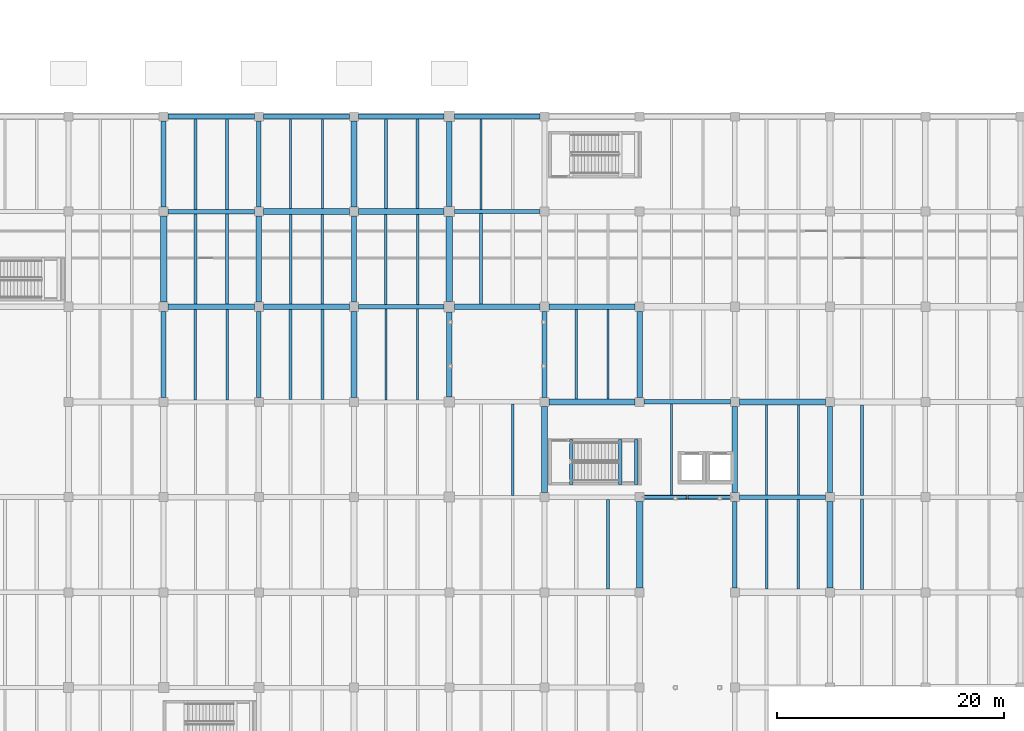
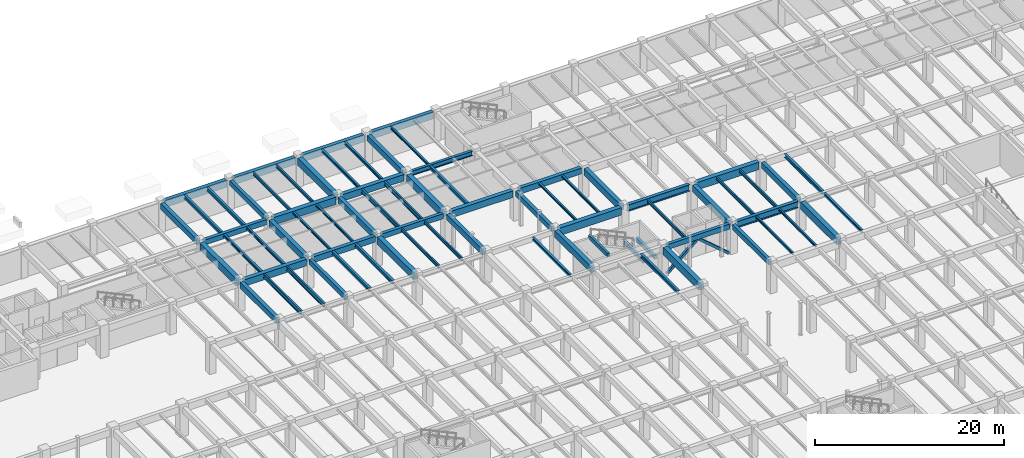
# One storey, part 21 of 63: 72 beams, 2 members.
"""IFC4 building model written with IfcOpenShell, lengths in metres."""

from ifc_helpers import new_model, si_unit, direction, frame, origin, origin_2d, place, context, subcontext, project, spatial, rectangle, hollow_rectangle, i_section, extrude, material, material_profile, profile_set, type_object, element, save


model = new_model("IFC4")

# Units and contexts
model_context = context("Model", 3, precision=1e-05, world=origin(), true_north=direction((0.0, 1.0)))
body_context = subcontext(model_context, "Body", "Model", "MODEL_VIEW")
ifc_project = project(units=[si_unit("LENGTHUNIT", "METRE"), si_unit("AREAUNIT", "SQUARE_METRE"), si_unit("VOLUMEUNIT", "CUBIC_METRE"), si_unit("PLANEANGLEUNIT", "RADIAN"), si_unit("MASSUNIT", "GRAM", prefix="KILO")], contexts=[model_context])

# Site, building, storey
site_placement = place(None, origin())
site = spatial("IfcSite", under=ifc_project, at=site_placement, CompositionType="ELEMENT")
building_placement = place(site_placement, origin())
building = spatial("IfcBuilding", under=site, at=building_placement, Name="Cumbredor Promenade Congress Hotel", CompositionType="ELEMENT")
storey_placement = place(building_placement, frame((0.0, 0.0, -4.199951171875)))
storey = spatial("IfcBuildingStorey", under=building, at=storey_placement, Name="B01", CompositionType="ELEMENT", Elevation=-4.199951171875)

# Beams
ifc_material_1 = material(Name="Concrete C40/50", Category="concrete")
ifc_material_profile_1 = material_profile(ifc_material_1, rectangle(XDim=0.39990234375, YDim=0.64990234375, at=origin_2d()), Name="RC BEAM 400x650")
ifc_profile_set_1 = profile_set([ifc_material_profile_1], Name="Concrete C40/50")
beam_type_1 = type_object("IfcBeamType", Name="BM-RC-400x650", PredefinedType="BEAM", material=ifc_profile_set_1)
beam_1_placement = place(storey_placement, frame((59.199951171875, 109.199951171875, 3.52490234375), z_axis=(1.0, 0.0, 0.0), x_axis=(0.0, 1.0, 0.0)))
element("IfcBeam", 1, at=beam_1_placement, inside=storey, type_object=beam_type_1, Name="L00 X-Grid Beam 171", PredefinedType="BEAM", context=body_context, shape_type="SweptSolid", body=[
    extrude(rectangle(XDim=0.39990234375, YDim=0.64990234375, at=origin_2d()), origin(), (0.0, 0.0, 1.0), 7.60009765625),
])
for number, where, z_axis, x_axis, name in (
    (2, (67.199951171875, 92.800048828125, 3.52490234375), (0.0, 1.0, 0.0), (-1.0, 0.0, 0.0), "L00 Y-Grid Beam 195"),
    (3, (67.199951171875, 109.60009765625, 3.52490234375), (0.0, 1.0, 0.0), (-1.0, 0.0, 0.0), "L00 Y-Grid Beam 199"),
):
    element("IfcBeam", number, at=place(storey_placement, frame(where, z_axis=z_axis, x_axis=x_axis)), inside=storey, type_object=beam_type_1, Name=name, PredefinedType="BEAM", context=body_context, shape_type="SweptSolid", body=[
        extrude(rectangle(XDim=0.39990234375, YDim=0.64990234375, at=origin_2d()), origin(), (0.0, 0.0, 1.0), 7.599853515625),
    ])
beam_2_placement = place(storey_placement, frame((76.0, 100.800048828125, 3.52490234375), z_axis=(1.0, 0.0, 0.0), x_axis=(0.0, 1.0, 0.0)))
element("IfcBeam", 4, at=beam_2_placement, inside=storey, type_object=beam_type_1, Name="L00 X-Grid Beam 223", PredefinedType="BEAM", context=body_context, shape_type="SweptSolid", body=[
    extrude(rectangle(XDim=0.39990234375, YDim=0.64990234375, at=origin_2d()), origin(), (0.0, 0.0, 1.0), 7.550048828125),
])
beam_3_placement = place(storey_placement, frame((92.39990234375, 92.800048828125, 3.52490234375), z_axis=(0.0, 1.0, 0.0), x_axis=(-1.0, 0.0, 0.0)))
element("IfcBeam", 5, at=beam_3_placement, inside=storey, type_object=beam_type_1, Name="L00 Y-Grid Beam 275", PredefinedType="BEAM", context=body_context, shape_type="SweptSolid", body=[
    extrude(rectangle(XDim=0.39990234375, YDim=0.64990234375, at=origin_2d()), origin(), (0.0, 0.0, 1.0), 7.599853515625),
])
for number, where, z_axis, x_axis, name in (
    (6, (101.199951171875, 84.0, 3.52490234375), (1.0, 0.0, 0.0), (0.0, 1.0, 0.0), "L00 X-Grid Beam 295"),
    (7, (109.199951171875, 76.0, 3.52490234375), (0.0, 1.0, 0.0), (-1.0, 0.0, 0.0), "L00 Y-Grid Beam 319"),
):
    element("IfcBeam", number, at=place(storey_placement, frame(where, z_axis=z_axis, x_axis=x_axis)), inside=storey, type_object=beam_type_1, Name=name, PredefinedType="BEAM", context=body_context, shape_type="SweptSolid", body=[
        extrude(rectangle(XDim=0.39990234375, YDim=0.64990234375, at=origin_2d()), origin(), (0.0, 0.0, 1.0), 7.60009765625),
    ])
ifc_material_profile_2 = material_profile(ifc_material_1, rectangle(XDim=0.449951171875, YDim=0.75, at=origin_2d()), Name="RC BEAM 450x750")
ifc_profile_set_2 = profile_set([ifc_material_profile_2], Name="Concrete C40/50")
beam_type_2 = type_object("IfcBeamType", Name="BM-RC-450x750", PredefinedType="BEAM", material=ifc_profile_set_2)
for number, where, z_axis, x_axis, name in (
    (8, (58.800048828125, 92.800048828125, 3.474853515625), (0.0, 1.0, 0.0), (-1.0, 0.0, 0.0), "L00 Y-Grid Beam 168"),
    (9, (58.800048828125, 109.60009765625, 3.474853515625), (0.0, 1.0, 0.0), (-1.0, 0.0, 0.0), "L00 Y-Grid Beam 172"),
    (10, (67.60009765625, 100.800048828125, 3.474853515625), (1.0, 0.0, 0.0), (0.0, 1.0, 0.0), "L00 X-Grid Beam 196"),
):
    element("IfcBeam", number, at=place(storey_placement, frame(where, z_axis=z_axis, x_axis=x_axis)), inside=storey, type_object=beam_type_2, Name=name, PredefinedType="BEAM", context=body_context, shape_type="SweptSolid", body=[
        extrude(rectangle(XDim=0.449951171875, YDim=0.75, at=origin_2d()), origin(), (0.0, 0.0, 1.0), 7.599853515625),
    ])
beam_4_placement = place(storey_placement, frame((75.60009765625, 101.199951171875, 3.474853515625), z_axis=(0.0, 1.0, 0.0), x_axis=(-1.0, 0.0, 0.0)))
element("IfcBeam", 11, at=beam_4_placement, inside=storey, type_object=beam_type_2, Name="L00 Y-Grid Beam 224", PredefinedType="BEAM", context=body_context, shape_type="SweptSolid", body=[
    extrude(rectangle(XDim=0.449951171875, YDim=0.75, at=origin_2d()), origin(), (0.0, 0.0, 1.0), 7.60009765625),
])
for number, where, z_axis, x_axis, name in (
    (12, (84.0, 92.85009765625, 3.474853515625), (0.0, 1.0, 0.0), (-1.0, 0.0, 0.0), "L00 Y-Grid Beam 248"),
    (13, (84.0, 109.64990234375, 3.474853515625), (0.0, 1.0, 0.0), (-1.0, 0.0, 0.0), "L00 Y-Grid Beam 252"),
):
    element("IfcBeam", number, at=place(storey_placement, frame(where, z_axis=z_axis, x_axis=x_axis)), inside=storey, type_object=beam_type_2, Name=name, PredefinedType="BEAM", context=body_context, shape_type="SweptSolid", body=[
        extrude(rectangle(XDim=0.449951171875, YDim=0.75, at=origin_2d()), origin(), (0.0, 0.0, 1.0), 7.5),
    ])
beam_5_placement = place(storey_placement, frame((92.800048828125, 100.800048828125, 3.474853515625), z_axis=(1.0, 0.0, 0.0), x_axis=(0.0, 1.0, 0.0)))
element("IfcBeam", 14, at=beam_5_placement, inside=storey, type_object=beam_type_2, Name="L00 X-Grid Beam 276", PredefinedType="BEAM", context=body_context, shape_type="SweptSolid", body=[
    extrude(rectangle(XDim=0.449951171875, YDim=0.75, at=origin_2d()), origin(), (0.0, 0.0, 1.0), 7.599853515625),
])
beam_6_placement = place(storey_placement, frame((117.60009765625, 84.39990234375, 3.474853515625), z_axis=(0.0, 1.0, 0.0), x_axis=(-1.0, 0.0, 0.0)))
element("IfcBeam", 15, at=beam_6_placement, inside=storey, type_object=beam_type_2, Name="L00 Y-Grid Beam 348", PredefinedType="BEAM", context=body_context, shape_type="SweptSolid", body=[
    extrude(rectangle(XDim=0.449951171875, YDim=0.75, at=origin_2d()), origin(), (0.0, 0.0, 1.0), 7.60009765625),
])
ifc_material_profile_3 = material_profile(ifc_material_1, rectangle(XDim=0.5, YDim=0.85009765625, at=origin_2d()), Name="RC BEAM 500x850")
ifc_profile_set_3 = profile_set([ifc_material_profile_3], Name="Concrete C40/50")
beam_type_3 = type_object("IfcBeamType", Name="BM-RC-500x850", PredefinedType="BEAM", material=ifc_profile_set_3)
for number, where, z_axis, x_axis, name in (
    (16, (59.199951171875, 100.800048828125, 3.425048828125), (1.0, 0.0, 0.0), (0.0, 1.0, 0.0), "L00 X-Grid Beam 169"),
    (17, (67.199951171875, 101.199951171875, 3.425048828125), (0.0, 1.0, 0.0), (-1.0, 0.0, 0.0), "L00 Y-Grid Beam 197"),
):
    element("IfcBeam", number, at=place(storey_placement, frame(where, z_axis=z_axis, x_axis=x_axis)), inside=storey, type_object=beam_type_3, Name=name, PredefinedType="BEAM", context=body_context, shape_type="SweptSolid", body=[
        extrude(rectangle(XDim=0.5, YDim=0.85009765625, at=origin_2d()), origin(), (0.0, 0.0, 1.0), 7.60009765625),
    ])
for number, where, z_axis, x_axis, name in (
    (18, (76.0, 109.199951171875, 3.425048828125), (1.0, 0.0, 0.0), (0.0, 1.0, 0.0), "L00 X-Grid Beam 225"),
    (19, (84.449951171875, 100.800048828125, 3.425048828125), (1.0, 0.0, 0.0), (0.0, 1.0, 0.0), "L00 X-Grid Beam 249"),
):
    element("IfcBeam", number, at=place(storey_placement, frame(where, z_axis=z_axis, x_axis=x_axis)), inside=storey, type_object=beam_type_3, Name=name, PredefinedType="BEAM", context=body_context, shape_type="SweptSolid", body=[
        extrude(rectangle(XDim=0.5, YDim=0.85009765625, at=origin_2d()), origin(), (0.0, 0.0, 1.0), 7.550048828125),
    ])
beam_7_placement = place(storey_placement, frame((92.39990234375, 84.39990234375, 3.425048828125), z_axis=(0.0, 1.0, 0.0), x_axis=(-1.0, 0.0, 0.0)))
element("IfcBeam", 20, at=beam_7_placement, inside=storey, type_object=beam_type_3, Name="L00 Y-Grid Beam 273", PredefinedType="BEAM", context=body_context, shape_type="SweptSolid", body=[
    extrude(rectangle(XDim=0.5, YDim=0.85009765625, at=origin_2d()), origin(), (0.0, 0.0, 1.0), 7.60009765625),
])
beam_8_placement = place(storey_placement, frame((100.800048828125, 92.800048828125, 3.425048828125), z_axis=(0.0, 1.0, 0.0), x_axis=(-1.0, 0.0, 0.0)))
element("IfcBeam", 21, at=beam_8_placement, inside=storey, type_object=beam_type_3, Name="L00 Y-Grid Beam 297", PredefinedType="BEAM", context=body_context, shape_type="SweptSolid", body=[
    extrude(rectangle(XDim=0.5, YDim=0.85009765625, at=origin_2d()), origin(), (0.0, 0.0, 1.0), 7.599853515625),
])
beam_9_placement = place(storey_placement, frame((109.199951171875, 84.39990234375, 3.425048828125), z_axis=(0.0, 1.0, 0.0), x_axis=(-1.0, 0.0, 0.0)))
element("IfcBeam", 22, at=beam_9_placement, inside=storey, type_object=beam_type_3, Name="L00 Y-Grid Beam 321", PredefinedType="BEAM", context=body_context, shape_type="SweptSolid", body=[
    extrude(rectangle(XDim=0.5, YDim=0.85009765625, at=origin_2d()), origin(), (0.0, 0.0, 1.0), 7.60009765625),
])
ifc_material_profile_4 = material_profile(ifc_material_1, rectangle(XDim=0.550048828125, YDim=0.949951171875, at=origin_2d()), Name="RC BEAM 550x950")
ifc_profile_set_4 = profile_set([ifc_material_profile_4], Name="Concrete C40/50")
beam_type_4 = type_object("IfcBeamType", Name="BM-RC-550x950", PredefinedType="BEAM", material=ifc_profile_set_4)
beam_10_placement = place(storey_placement, frame((58.800048828125, 101.199951171875, 3.375), z_axis=(0.0, 1.0, 0.0), x_axis=(-1.0, 0.0, 0.0)))
element("IfcBeam", 23, at=beam_10_placement, inside=storey, type_object=beam_type_4, Name="L00 Y-Grid Beam 170", PredefinedType="BEAM", context=body_context, shape_type="SweptSolid", body=[
    extrude(rectangle(XDim=0.550048828125, YDim=0.949951171875, at=origin_2d()), origin(), (0.0, 0.0, 1.0), 7.60009765625),
])
for number, where, z_axis, x_axis, name in (
    (24, (67.60009765625, 109.199951171875, 3.375), (1.0, 0.0, 0.0), (0.0, 1.0, 0.0), "L00 X-Grid Beam 198"),
    (25, (75.60009765625, 92.800048828125, 3.375), (0.0, 1.0, 0.0), (-1.0, 0.0, 0.0), "L00 Y-Grid Beam 222"),
    (26, (75.60009765625, 109.60009765625, 3.375), (0.0, 1.0, 0.0), (-1.0, 0.0, 0.0), "L00 Y-Grid Beam 226"),
):
    element("IfcBeam", number, at=place(storey_placement, frame(where, z_axis=z_axis, x_axis=x_axis)), inside=storey, type_object=beam_type_4, Name=name, PredefinedType="BEAM", context=body_context, shape_type="SweptSolid", body=[
        extrude(rectangle(XDim=0.550048828125, YDim=0.949951171875, at=origin_2d()), origin(), (0.0, 0.0, 1.0), 7.599853515625),
    ])
beam_11_placement = place(storey_placement, frame((84.0, 101.25, 3.375), z_axis=(0.0, 1.0, 0.0), x_axis=(-1.0, 0.0, 0.0)))
element("IfcBeam", 27, at=beam_11_placement, inside=storey, type_object=beam_type_4, Name="L00 Y-Grid Beam 250", PredefinedType="BEAM", context=body_context, shape_type="SweptSolid", body=[
    extrude(rectangle(XDim=0.550048828125, YDim=0.949951171875, at=origin_2d()), origin(), (0.0, 0.0, 1.0), 7.5),
])
beam_12_placement = place(storey_placement, frame((92.800048828125, 92.39990234375, 3.375), z_axis=(1.0, 0.0, 0.0), x_axis=(0.0, 1.0, 0.0)))
element("IfcBeam", 28, at=beam_12_placement, inside=storey, type_object=beam_type_4, Name="L00 X-Grid Beam 274", PredefinedType="BEAM", context=body_context, shape_type="SweptSolid", body=[
    extrude(rectangle(XDim=0.550048828125, YDim=0.949951171875, at=origin_2d()), origin(), (0.0, 0.0, 1.0), 7.599853515625),
])
beam_13_placement = place(storey_placement, frame((100.800048828125, 76.0, 3.375), z_axis=(0.0, 1.0, 0.0), x_axis=(-1.0, 0.0, 0.0)))
element("IfcBeam", 29, at=beam_13_placement, inside=storey, type_object=beam_type_4, Name="L00 Y-Grid Beam 294", PredefinedType="BEAM", context=body_context, shape_type="SweptSolid", body=[
    extrude(rectangle(XDim=0.550048828125, YDim=0.949951171875, at=origin_2d()), origin(), (0.0, 0.0, 1.0), 7.60009765625),
])
beam_14_placement = place(storey_placement, frame((109.60009765625, 92.39990234375, 3.375), z_axis=(1.0, 0.0, 0.0), x_axis=(0.0, 1.0, 0.0)))
element("IfcBeam", 30, at=beam_14_placement, inside=storey, type_object=beam_type_4, Name="L00 X-Grid Beam 322", PredefinedType="BEAM", context=body_context, shape_type="SweptSolid", body=[
    extrude(rectangle(XDim=0.550048828125, YDim=0.949951171875, at=origin_2d()), origin(), (0.0, 0.0, 1.0), 7.599853515625),
])
beam_15_placement = place(storey_placement, frame((117.60009765625, 76.0, 3.375), z_axis=(0.0, 1.0, 0.0), x_axis=(-1.0, 0.0, 0.0)))
element("IfcBeam", 31, at=beam_15_placement, inside=storey, type_object=beam_type_4, Name="L00 Y-Grid Beam 346", PredefinedType="BEAM", context=body_context, shape_type="SweptSolid", body=[
    extrude(rectangle(XDim=0.550048828125, YDim=0.949951171875, at=origin_2d()), origin(), (0.0, 0.0, 1.0), 7.60009765625),
])
ifc_material_2 = material(Name="Steel ASTM A992 Grade 50", Category="steel")
ifc_material_profile_5 = material_profile(ifc_material_2, i_section(OverallWidth=0.323974609375, OverallDepth=0.611083984375, WebThickness=0.0126953125, FlangeThickness=0.01904296875, at=origin_2d()), Name="W24X104")
ifc_profile_set_5 = profile_set([ifc_material_profile_5], Name="Steel ASTM A992 Grade 50")
beam_type_5 = type_object("IfcBeamType", Name="BM-W24X104", PredefinedType="BEAM", material=ifc_profile_set_5)
beam_16_placement = place(storey_placement, frame((84.449951171875, 109.199951171875, 3.54443359375), z_axis=(1.0, 0.0, 0.0), x_axis=(0.0, 1.0, 0.0)))
element("IfcBeam", 32, at=beam_16_placement, inside=storey, type_object=beam_type_5, Name="L00 X-Grid Beam 251", PredefinedType="BEAM", context=body_context, shape_type="SweptSolid", body=[
    extrude(i_section(OverallWidth=0.323974609375, OverallDepth=0.611083984375, WebThickness=0.0126953125, FlangeThickness=0.01904296875, at=origin_2d()), origin(), (0.0, 0.0, 1.0), 7.550048828125),
])
ifc_material_profile_6 = material_profile(ifc_material_2, i_section(OverallWidth=0.39990234375, OverallDepth=0.85498046875, WebThickness=0.018310546875, FlangeThickness=0.029296875, at=origin_2d()), Name="W33X201")
ifc_profile_set_6 = profile_set([ifc_material_profile_6], Name="Steel ASTM A992 Grade 50")
beam_type_6 = type_object("IfcBeamType", Name="BM-W33X201", PredefinedType="BEAM", material=ifc_profile_set_6)
beam_17_placement = place(storey_placement, frame((101.199951171875, 92.39990234375, 3.42236328125), z_axis=(1.0, 0.0, 0.0), x_axis=(0.0, 1.0, 0.0)))
element("IfcBeam", 33, at=beam_17_placement, inside=storey, type_object=beam_type_6, Name="L00 X-Grid Beam 296", PredefinedType="BEAM", context=body_context, shape_type="SweptSolid", body=[
    extrude(i_section(OverallWidth=0.39990234375, OverallDepth=0.85498046875, WebThickness=0.018310546875, FlangeThickness=0.029296875, at=origin_2d()), origin(), (0.0, 0.0, 1.0), 7.60009765625),
])
beam_18_placement = place(storey_placement, frame((109.60009765625, 84.0, 3.42236328125), z_axis=(1.0, 0.0, 0.0), x_axis=(0.0, 1.0, 0.0)))
element("IfcBeam", 34, at=beam_18_placement, inside=storey, type_object=beam_type_6, Name="L00 X-Grid Beam 320", PredefinedType="BEAM", context=body_context, shape_type="SweptSolid", body=[
    extrude(i_section(OverallWidth=0.39990234375, OverallDepth=0.85498046875, WebThickness=0.018310546875, FlangeThickness=0.029296875, at=origin_2d()), origin(), (0.0, 0.0, 1.0), 7.599853515625),
])
ifc_material_profile_7 = material_profile(ifc_material_2, i_section(OverallWidth=0.202880859375, OverallDepth=0.302978515625, WebThickness=0.007568359375, FlangeThickness=0.01318359375, at=origin_2d()), Name="W12X40")
ifc_profile_set_7 = profile_set([ifc_material_profile_7], Name="Steel ASTM A992 Grade 50")
beam_type_7 = type_object("IfcBeamType", Name="JST-W12X40", PredefinedType="JOIST", material=ifc_profile_set_7)
for number, where, z_axis, x_axis, name in (
    (35, (70.0, 101.02490234375, 3.698486328125), (0.0, 1.0, 0.0), (-1.0, 0.0, 0.0), "L00 Secondary Floor Joist 0164"),
    (36, (72.800048828125, 101.02490234375, 3.698486328125), (0.0, 1.0, 0.0), (-1.0, 0.0, 0.0), "L00 Secondary Floor Joist 0165"),
):
    element("IfcBeam", number, at=place(storey_placement, frame(where, z_axis=z_axis, x_axis=x_axis)), inside=storey, type_object=beam_type_7, Name=name, PredefinedType="JOIST", context=body_context, shape_type="SweptSolid", body=[
        extrude(i_section(OverallWidth=0.202880859375, OverallDepth=0.302978515625, WebThickness=0.007568359375, FlangeThickness=0.01318359375, at=origin_2d()), origin(), (0.0, 0.0, 1.0), 7.900146484375),
    ])
beam_19_placement = place(storey_placement, frame((86.800048828125, 109.362060546875, 3.698486328125), z_axis=(0.0, 1.0, 0.0), x_axis=(-1.0, 0.0, 0.0)))
element("IfcBeam", 37, at=beam_19_placement, inside=storey, type_object=beam_type_7, Name="L00 Secondary Floor Joist 0214", PredefinedType="JOIST", context=body_context, shape_type="SweptSolid", body=[
    extrude(i_section(OverallWidth=0.202880859375, OverallDepth=0.302978515625, WebThickness=0.007568359375, FlangeThickness=0.01318359375, at=origin_2d()), origin(), (0.0, 0.0, 1.0), 8.012939453125),
])
for number, where, z_axis, x_axis, name in (
    (38, (95.199951171875, 92.675048828125, 3.698486328125), (0.0, 1.0, 0.0), (-1.0, 0.0, 0.0), "L00 Secondary Floor Joist 0234"),
    (39, (98.0, 92.675048828125, 3.698486328125), (0.0, 1.0, 0.0), (-1.0, 0.0, 0.0), "L00 Secondary Floor Joist 0235"),
):
    element("IfcBeam", number, at=place(storey_placement, frame(where, z_axis=z_axis, x_axis=x_axis)), inside=storey, type_object=beam_type_7, Name=name, PredefinedType="JOIST", context=body_context, shape_type="SweptSolid", body=[
        extrude(i_section(OverallWidth=0.202880859375, OverallDepth=0.302978515625, WebThickness=0.007568359375, FlangeThickness=0.01318359375, at=origin_2d()), origin(), (0.0, 0.0, 1.0), 7.89990234375),
    ])
for number, where, z_axis, x_axis, name in (
    (40, (112.0, 75.875, 3.698486328125), (0.0, 1.0, 0.0), (-1.0, 0.0, 0.0), "L00 Secondary Floor Joist 0269"),
    (41, (114.800048828125, 75.875, 3.698486328125), (0.0, 1.0, 0.0), (-1.0, 0.0, 0.0), "L00 Secondary Floor Joist 0270"),
):
    element("IfcBeam", number, at=place(storey_placement, frame(where, z_axis=z_axis, x_axis=x_axis)), inside=storey, type_object=beam_type_7, Name=name, PredefinedType="JOIST", context=body_context, shape_type="SweptSolid", body=[
        extrude(i_section(OverallWidth=0.202880859375, OverallDepth=0.302978515625, WebThickness=0.007568359375, FlangeThickness=0.01318359375, at=origin_2d()), origin(), (0.0, 0.0, 1.0), 7.925048828125),
    ])
ifc_material_profile_8 = material_profile(ifc_material_2, i_section(OverallWidth=0.2548828125, OverallDepth=0.35693359375, WebThickness=0.010498046875, FlangeThickness=0.018310546875, at=origin_2d()), Name="W14X68")
ifc_profile_set_8 = profile_set([ifc_material_profile_8], Name="Steel ASTM A992 Grade 50")
beam_type_8 = type_object("IfcBeamType", Name="JST-W14X68", PredefinedType="JOIST", material=ifc_profile_set_8)
for number, where, z_axis, x_axis, name in (
    (42, (61.60009765625, 101.050048828125, 3.67138671875), (0.0, 1.0, 0.0), (-1.0, 0.0, 0.0), "L00 Secondary Floor Joist 0140"),
    (43, (64.39990234375, 101.050048828125, 3.67138671875), (0.0, 1.0, 0.0), (-1.0, 0.0, 0.0), "L00 Secondary Floor Joist 0141"),
):
    element("IfcBeam", number, at=place(storey_placement, frame(where, z_axis=z_axis, x_axis=x_axis)), inside=storey, type_object=beam_type_8, Name=name, PredefinedType="JOIST", context=body_context, shape_type="SweptSolid", body=[
        extrude(i_section(OverallWidth=0.2548828125, OverallDepth=0.35693359375, WebThickness=0.010498046875, FlangeThickness=0.018310546875, at=origin_2d()), origin(), (0.0, 0.0, 1.0), 7.949951171875),
    ])
for number, where, z_axis, x_axis, name in (
    (44, (78.39990234375, 109.449951171875, 3.67138671875), (0.0, 1.0, 0.0), (-1.0, 0.0, 0.0), "L00 Secondary Floor Joist 0190"),
    (45, (81.199951171875, 109.449951171875, 3.67138671875), (0.0, 1.0, 0.0), (-1.0, 0.0, 0.0), "L00 Secondary Floor Joist 0191"),
):
    element("IfcBeam", number, at=place(storey_placement, frame(where, z_axis=z_axis, x_axis=x_axis)), inside=storey, type_object=beam_type_8, Name=name, PredefinedType="JOIST", context=body_context, shape_type="SweptSolid", body=[
        extrude(i_section(OverallWidth=0.2548828125, OverallDepth=0.35693359375, WebThickness=0.010498046875, FlangeThickness=0.018310546875, at=origin_2d()), origin(), (0.0, 0.0, 1.0), 7.925048828125),
    ])
beam_20_placement = place(storey_placement, frame((89.60009765625, 84.162109375, 3.67138671875), z_axis=(0.0, 1.0, 0.0), x_axis=(-1.0, 0.0, 0.0)))
element("IfcBeam", 46, at=beam_20_placement, inside=storey, type_object=beam_type_8, Name="L00 Secondary Floor Joist 0211", PredefinedType="JOIST", context=body_context, shape_type="SweptSolid", body=[
    extrude(i_section(OverallWidth=0.2548828125, OverallDepth=0.35693359375, WebThickness=0.010498046875, FlangeThickness=0.018310546875, at=origin_2d()), origin(), (0.0, 0.0, 1.0), 8.037841796875),
])
beam_21_placement = place(storey_placement, frame((120.39990234375, 75.85009765625, 3.67138671875), z_axis=(0.0, 1.0, 0.0), x_axis=(-1.0, 0.0, 0.0)))
element("IfcBeam", 47, at=beam_21_placement, inside=storey, type_object=beam_type_8, Name="L00 Secondary Floor Joist 0295", PredefinedType="JOIST", context=body_context, shape_type="SweptSolid", body=[
    extrude(i_section(OverallWidth=0.2548828125, OverallDepth=0.35693359375, WebThickness=0.010498046875, FlangeThickness=0.018310546875, at=origin_2d()), origin(), (0.0, 0.0, 1.0), 7.98779296875),
])
ifc_material_profile_9 = material_profile(ifc_material_2, i_section(OverallWidth=0.180908203125, OverallDepth=0.4169921875, WebThickness=0.010986328125, FlangeThickness=0.018310546875, at=origin_2d()), Name="W16X57")
ifc_profile_set_9 = profile_set([ifc_material_profile_9], Name="Steel ASTM A992 Grade 50")
beam_type_9 = type_object("IfcBeamType", Name="JST-W16X57", PredefinedType="JOIST", material=ifc_profile_set_9)
for number, where, z_axis, x_axis, name in (
    (48, (70.0, 109.47509765625, 3.641357421875), (0.0, 1.0, 0.0), (-1.0, 0.0, 0.0), "L00 Secondary Floor Joist 0166"),
    (49, (72.800048828125, 109.47509765625, 3.641357421875), (0.0, 1.0, 0.0), (-1.0, 0.0, 0.0), "L00 Secondary Floor Joist 0167"),
):
    element("IfcBeam", number, at=place(storey_placement, frame(where, z_axis=z_axis, x_axis=x_axis)), inside=storey, type_object=beam_type_9, Name=name, PredefinedType="JOIST", context=body_context, shape_type="SweptSolid", body=[
        extrude(i_section(OverallWidth=0.180908203125, OverallDepth=0.4169921875, WebThickness=0.010986328125, FlangeThickness=0.018310546875, at=origin_2d()), origin(), (0.0, 0.0, 1.0), 7.89990234375),
    ])
for number, where, z_axis, x_axis, name in (
    (50, (78.39990234375, 92.56201171875, 3.641357421875), (0.0, 1.0, 0.0), (-1.0, 0.0, 0.0), "L00 Secondary Floor Joist 0186"),
    (51, (81.199951171875, 92.56201171875, 3.641357421875), (0.0, 1.0, 0.0), (-1.0, 0.0, 0.0), "L00 Secondary Floor Joist 0187"),
):
    element("IfcBeam", number, at=place(storey_placement, frame(where, z_axis=z_axis, x_axis=x_axis)), inside=storey, type_object=beam_type_9, Name=name, PredefinedType="JOIST", context=body_context, shape_type="SweptSolid", body=[
        extrude(i_section(OverallWidth=0.180908203125, OverallDepth=0.4169921875, WebThickness=0.010986328125, FlangeThickness=0.018310546875, at=origin_2d()), origin(), (0.0, 0.0, 1.0), 8.0380859375),
    ])
beam_22_placement = place(storey_placement, frame((103.60009765625, 84.199951171875, 3.641357421875), z_axis=(0.0, 1.0, 0.0), x_axis=(-1.0, 0.0, 0.0)))
element("IfcBeam", 52, at=beam_22_placement, inside=storey, type_object=beam_type_9, Name="L00 Secondary Floor Joist 0246", PredefinedType="JOIST", context=body_context, shape_type="SweptSolid", body=[
    extrude(i_section(OverallWidth=0.180908203125, OverallDepth=0.4169921875, WebThickness=0.010986328125, FlangeThickness=0.018310546875, at=origin_2d()), origin(), (0.0, 0.0, 1.0), 8.0),
])
for number, where, z_axis, x_axis, name in (
    (53, (112.0, 84.199951171875, 3.641357421875), (0.0, 1.0, 0.0), (-1.0, 0.0, 0.0), "L00 Secondary Floor Joist 0271"),
    (54, (114.800048828125, 84.199951171875, 3.641357421875), (0.0, 1.0, 0.0), (-1.0, 0.0, 0.0), "L00 Secondary Floor Joist 0272"),
):
    element("IfcBeam", number, at=place(storey_placement, frame(where, z_axis=z_axis, x_axis=x_axis)), inside=storey, type_object=beam_type_9, Name=name, PredefinedType="JOIST", context=body_context, shape_type="SweptSolid", body=[
        extrude(i_section(OverallWidth=0.180908203125, OverallDepth=0.4169921875, WebThickness=0.010986328125, FlangeThickness=0.018310546875, at=origin_2d()), origin(), (0.0, 0.0, 1.0), 7.925048828125),
    ])
ifc_material_profile_10 = material_profile(ifc_material_2, i_section(OverallWidth=0.280029296875, OverallDepth=0.462890625, WebThickness=0.0107421875, FlangeThickness=0.017333984375, at=origin_2d()), Name="W18X76")
ifc_profile_set_10 = profile_set([ifc_material_profile_10], Name="Steel ASTM A992 Grade 50")
beam_type_10 = type_object("IfcBeamType", Name="JST-W18X76", PredefinedType="JOIST", material=ifc_profile_set_10)
for number, where, z_axis, x_axis, name in (
    (55, (61.60009765625, 109.39990234375, 3.618408203125), (0.0, 1.0, 0.0), (-1.0, 0.0, 0.0), "L00 Secondary Floor Joist 0142"),
    (56, (64.39990234375, 109.39990234375, 3.618408203125), (0.0, 1.0, 0.0), (-1.0, 0.0, 0.0), "L00 Secondary Floor Joist 0143"),
):
    element("IfcBeam", number, at=place(storey_placement, frame(where, z_axis=z_axis, x_axis=x_axis)), inside=storey, type_object=beam_type_10, Name=name, PredefinedType="JOIST", context=body_context, shape_type="SweptSolid", body=[
        extrude(i_section(OverallWidth=0.280029296875, OverallDepth=0.462890625, WebThickness=0.0107421875, FlangeThickness=0.017333984375, at=origin_2d()), origin(), (0.0, 0.0, 1.0), 7.97509765625),
    ])
for number, where, z_axis, x_axis, name in (
    (57, (70.0, 92.60009765625, 3.618408203125), (0.0, 1.0, 0.0), (-1.0, 0.0, 0.0), "L00 Secondary Floor Joist 0162"),
    (58, (72.800048828125, 92.60009765625, 3.618408203125), (0.0, 1.0, 0.0), (-1.0, 0.0, 0.0), "L00 Secondary Floor Joist 0163"),
):
    element("IfcBeam", number, at=place(storey_placement, frame(where, z_axis=z_axis, x_axis=x_axis)), inside=storey, type_object=beam_type_10, Name=name, PredefinedType="JOIST", context=body_context, shape_type="SweptSolid", body=[
        extrude(i_section(OverallWidth=0.280029296875, OverallDepth=0.462890625, WebThickness=0.0107421875, FlangeThickness=0.017333984375, at=origin_2d()), origin(), (0.0, 0.0, 1.0), 7.974853515625),
    ])
beam_23_placement = place(storey_placement, frame((86.800048828125, 101.050048828125, 3.618408203125), z_axis=(0.0, 1.0, 0.0), x_axis=(-1.0, 0.0, 0.0)))
element("IfcBeam", 59, at=beam_23_placement, inside=storey, type_object=beam_type_10, Name="L00 Secondary Floor Joist 0212", PredefinedType="JOIST", context=body_context, shape_type="SweptSolid", body=[
    extrude(i_section(OverallWidth=0.280029296875, OverallDepth=0.462890625, WebThickness=0.0107421875, FlangeThickness=0.017333984375, at=origin_2d()), origin(), (0.0, 0.0, 1.0), 7.988037109375),
])
beam_24_placement = place(storey_placement, frame((98.0, 75.875, 3.618408203125), z_axis=(0.0, 1.0, 0.0), x_axis=(-1.0, 0.0, 0.0)))
element("IfcBeam", 60, at=beam_24_placement, inside=storey, type_object=beam_type_10, Name="L00 Secondary Floor Joist 0233", PredefinedType="JOIST", context=body_context, shape_type="SweptSolid", body=[
    extrude(i_section(OverallWidth=0.280029296875, OverallDepth=0.462890625, WebThickness=0.0107421875, FlangeThickness=0.017333984375, at=origin_2d()), origin(), (0.0, 0.0, 1.0), 7.925048828125),
])
beam_25_placement = place(storey_placement, frame((120.39990234375, 84.162109375, 3.618408203125), z_axis=(0.0, 1.0, 0.0), x_axis=(-1.0, 0.0, 0.0)))
element("IfcBeam", 61, at=beam_25_placement, inside=storey, type_object=beam_type_10, Name="L00 Secondary Floor Joist 0297", PredefinedType="JOIST", context=body_context, shape_type="SweptSolid", body=[
    extrude(i_section(OverallWidth=0.280029296875, OverallDepth=0.462890625, WebThickness=0.0107421875, FlangeThickness=0.017333984375, at=origin_2d()), origin(), (0.0, 0.0, 1.0), 7.98779296875),
])
ifc_material_profile_11 = material_profile(ifc_material_2, i_section(OverallWidth=0.214111328125, OverallDepth=0.549072265625, WebThickness=0.0146484375, FlangeThickness=0.023681640625, at=origin_2d()), Name="W21X93")
ifc_profile_set_11 = profile_set([ifc_material_profile_11], Name="Steel ASTM A992 Grade 50")
beam_type_11 = type_object("IfcBeamType", Name="JST-W21X93", PredefinedType="JOIST", material=ifc_profile_set_11)
for number, where, z_axis, x_axis, name in (
    (62, (61.60009765625, 92.56201171875, 3.575439453125), (0.0, 1.0, 0.0), (-1.0, 0.0, 0.0), "L00 Secondary Floor Joist 0138"),
    (63, (64.39990234375, 92.56201171875, 3.575439453125), (0.0, 1.0, 0.0), (-1.0, 0.0, 0.0), "L00 Secondary Floor Joist 0139"),
):
    element("IfcBeam", number, at=place(storey_placement, frame(where, z_axis=z_axis, x_axis=x_axis)), inside=storey, type_object=beam_type_11, Name=name, PredefinedType="JOIST", context=body_context, shape_type="SweptSolid", body=[
        extrude(i_section(OverallWidth=0.214111328125, OverallDepth=0.549072265625, WebThickness=0.0146484375, FlangeThickness=0.023681640625, at=origin_2d()), origin(), (0.0, 0.0, 1.0), 7.988037109375),
    ])
for number, where, z_axis, x_axis, name in (
    (64, (78.39990234375, 101.0, 3.575439453125), (0.0, 1.0, 0.0), (-1.0, 0.0, 0.0), "L00 Secondary Floor Joist 0188"),
    (65, (81.199951171875, 101.0, 3.575439453125), (0.0, 1.0, 0.0), (-1.0, 0.0, 0.0), "L00 Secondary Floor Joist 0189"),
):
    element("IfcBeam", number, at=place(storey_placement, frame(where, z_axis=z_axis, x_axis=x_axis)), inside=storey, type_object=beam_type_11, Name=name, PredefinedType="JOIST", context=body_context, shape_type="SweptSolid", body=[
        extrude(i_section(OverallWidth=0.214111328125, OverallDepth=0.549072265625, WebThickness=0.0146484375, FlangeThickness=0.023681640625, at=origin_2d()), origin(), (0.0, 0.0, 1.0), 7.949951171875),
    ])
ifc_material_profile_12 = material_profile(ifc_material_1, rectangle(XDim=0.300048828125, YDim=0.5, at=origin_2d()), Name="RC LINTEL 300x500")
ifc_profile_set_12 = profile_set([ifc_material_profile_12], Name="Concrete C40/50")
beam_type_12 = type_object("IfcBeamType", Name="LN-RC-300x500", PredefinedType="LINTEL", material=ifc_profile_set_12)
for number, where, z_axis, x_axis, name in (
    (66, (100.5, 85.1298828125, 1.64990234375), (0.0, 1.0, 0.0), (-1.0, 0.0, 0.0), "B01 Stair ST-13 Landing Ledger Beam E"),
    (67, (99.10009765625, 85.1298828125, 1.64990234375), (0.0, 1.0, 0.0), (-1.0, 0.0, 0.0), "B01 Stair ST-13 Landing Ledger Beam W"),
    (68, (94.75, 85.1298828125, 3.949951171875), (0.0, 1.0, 0.0), (-1.0, 0.0, 0.0), "L00 Stair ST-13 Well Header Trimmer Beam"),
):
    element("IfcBeam", number, at=place(storey_placement, frame(where, z_axis=z_axis, x_axis=x_axis)), inside=storey, type_object=beam_type_12, Name=name, PredefinedType="LINTEL", context=body_context, shape_type="SweptSolid", body=[
        extrude(rectangle(XDim=0.300048828125, YDim=0.5, at=origin_2d()), origin(), (0.0, 0.0, 1.0), 3.97021484375),
    ])
ifc_material_profile_13 = material_profile(ifc_material_1, rectangle(XDim=0.449951171875, YDim=0.89990234375, at=origin_2d()), Name="RC SPANDREL 450x900")
ifc_profile_set_13 = profile_set([ifc_material_profile_13], Name="Concrete C40/50")
beam_type_13 = type_object("IfcBeamType", Name="SP-RC-450x900", PredefinedType="SPANDREL", material=ifc_profile_set_13)
beam_26_placement = place(storey_placement, frame((59.199951171875, 117.60009765625, 3.39990234375), z_axis=(1.0, 0.0, 0.0), x_axis=(0.0, 1.0, 0.0)))
element("IfcBeam", 69, at=beam_26_placement, inside=storey, type_object=beam_type_13, Name="L00 X-Grid Beam 173", PredefinedType="SPANDREL", context=body_context, shape_type="SweptSolid", body=[
    extrude(rectangle(XDim=0.449951171875, YDim=0.89990234375, at=origin_2d()), origin(), (0.0, 0.0, 1.0), 7.60009765625),
])
beam_27_placement = place(storey_placement, frame((67.60009765625, 117.60009765625, 3.39990234375), z_axis=(1.0, 0.0, 0.0), x_axis=(0.0, 1.0, 0.0)))
element("IfcBeam", 70, at=beam_27_placement, inside=storey, type_object=beam_type_13, Name="L00 X-Grid Beam 200", PredefinedType="SPANDREL", context=body_context, shape_type="SweptSolid", body=[
    extrude(rectangle(XDim=0.449951171875, YDim=0.89990234375, at=origin_2d()), origin(), (0.0, 0.0, 1.0), 7.599853515625),
])
for number, where, z_axis, x_axis, name in (
    (71, (76.0, 117.60009765625, 3.39990234375), (1.0, 0.0, 0.0), (0.0, 1.0, 0.0), "L00 X-Grid Beam 227"),
    (72, (84.449951171875, 117.60009765625, 3.39990234375), (1.0, 0.0, 0.0), (0.0, 1.0, 0.0), "L00 X-Grid Beam 253"),
):
    element("IfcBeam", number, at=place(storey_placement, frame(where, z_axis=z_axis, x_axis=x_axis)), inside=storey, type_object=beam_type_13, Name=name, PredefinedType="SPANDREL", context=body_context, shape_type="SweptSolid", body=[
        extrude(rectangle(XDim=0.449951171875, YDim=0.89990234375, at=origin_2d()), origin(), (0.0, 0.0, 1.0), 7.550048828125),
    ])

# Members
ifc_material_3 = material(Name="Steel ASTM A500 Grade C", Category="steel")
ifc_material_profile_14 = material_profile(ifc_material_3, hollow_rectangle(XDim=0.300048828125, YDim=0.300048828125, WallThickness=0.01611328125, at=origin_2d()), Name="HSS 300x300x16")
ifc_profile_set_14 = profile_set([ifc_material_profile_14], Name="Steel ASTM A500 Grade C")
member_type = type_object("IfcMemberType", Name="Seismic Frame Brace CBF-1", PredefinedType="BRACE", material=ifc_profile_set_14)
for number, where, z_axis, x_axis, name in (
    (73, (101.199951171875, 84.0, 0.0), (0.760955340714, 0.0, 0.648804261267), (0.0, 1.0, 0.0), "B01 Chevron Seismic Brace 8A"),
    (74, (108.800048828125, 84.0, 0.0), (-0.760955340714, 0.0, 0.648804261267), (0.0, -1.0, 0.0), "B01 Chevron Seismic Brace 8B"),
):
    element("IfcMember", number, at=place(storey_placement, frame(where, z_axis=z_axis, x_axis=x_axis)), inside=storey, type_object=member_type, Name=name, PredefinedType="BRACE", context=body_context, shape_type="SweptSolid", body=[
        extrude(hollow_rectangle(XDim=0.300048828125, YDim=0.300048828125, WallThickness=0.01611328125, at=origin_2d()), origin(), (0.0, 0.0, 1.0), 4.993896484375),
    ])

save(model, "model.ifc")
